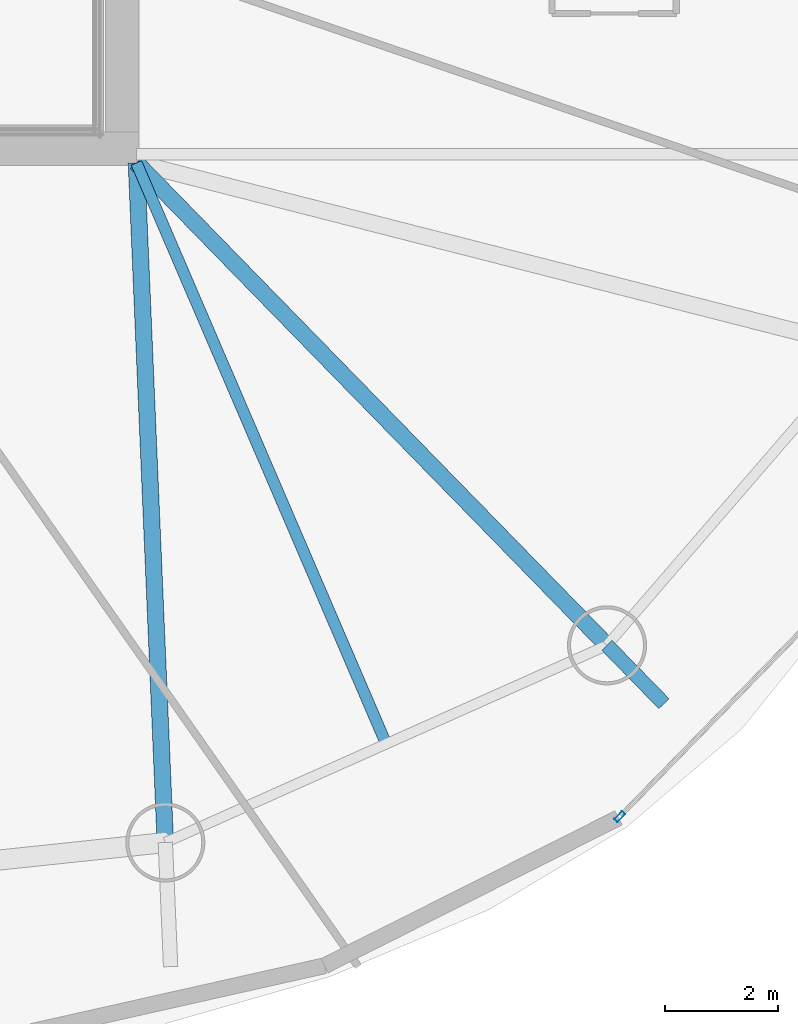
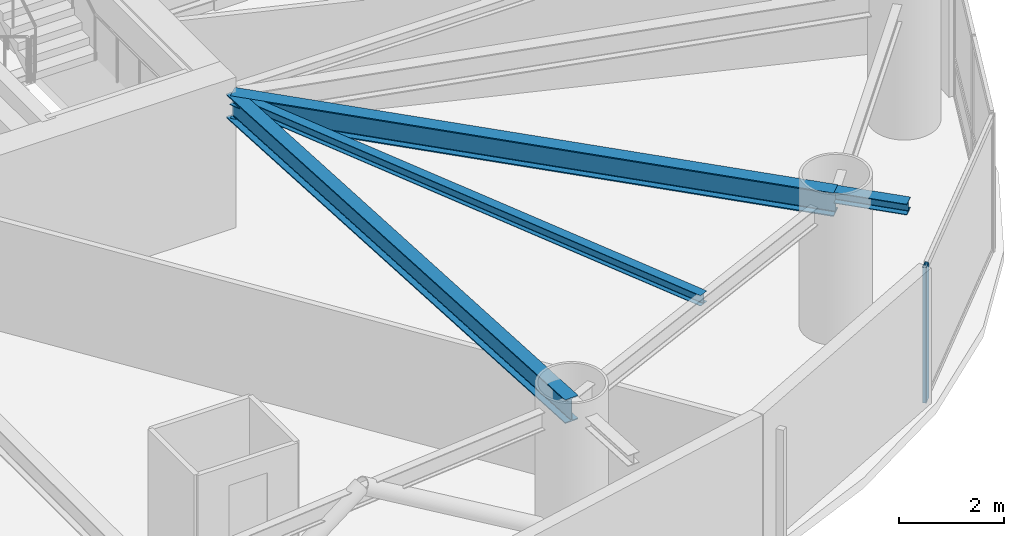
# One storey, part 6 of 21: 4 beams, 1 member, 1 element without a shape of its own.
"""IFC4 building model written with IfcOpenShell, lengths in metres."""

from ifc_helpers import new_model, si_unit, direction, frame, origin, origin_2d, place, context, subcontext, project, spatial, hollow_rectangle, i_section, extrude, material, layer, layer_set, material_profile, profile_set, type_object, element, aggregate, save


model = new_model("IFC4")

# Units and contexts
model_context = context("Model", 3, precision=1e-05, world=origin(), true_north=direction((0.0, 1.0)))
body_context = subcontext(model_context, "Body", "Model", "MODEL_VIEW")
ifc_project = project(units=[si_unit("LENGTHUNIT", "METRE"), si_unit("AREAUNIT", "SQUARE_METRE"), si_unit("VOLUMEUNIT", "CUBIC_METRE"), si_unit("PLANEANGLEUNIT", "RADIAN"), si_unit("MASSUNIT", "GRAM", prefix="KILO")], contexts=[model_context])

# Site, building, storey
site_placement = place(None, origin())
site = spatial("IfcSite", under=ifc_project, at=site_placement, CompositionType="ELEMENT")
building_placement = place(site_placement, origin())
building = spatial("IfcBuilding", under=site, at=building_placement, Name="Bramvorn Convention Spire", CompositionType="ELEMENT")
storey_placement = place(building_placement, frame((0.0, 0.0, 162.300048828125)))
storey = spatial("IfcBuildingStorey", under=building, at=storey_placement, Name="L41", CompositionType="ELEMENT", Elevation=162.300048828125)

# Beams
ifc_material_1 = material(Name="Steel CSA G40.21 Grade 350 (350W)", Category="steel")
ifc_material_profile_1 = material_profile(ifc_material_1, i_section(OverallWidth=0.201904296875, OverallDepth=0.2470703125, WebThickness=0.00732421875, FlangeThickness=0.010986328125, FilletRadius=0.011962890625, at=origin_2d()))
ifc_profile_set_1 = profile_set([ifc_material_profile_1], Name="Steel CSA G40.21 Grade 350 (350W) - W250X49")
beam_type_1 = type_object("IfcBeamType", Name="BM-W250X49", PredefinedType="JOIST", material=ifc_profile_set_1)
beam_1_placement = place(storey_placement, frame((49.25, 18.550048828125, 3.0263671875), z_axis=(0.394937739893, -0.918707886985, 0.0), x_axis=(0.918707886985, 0.394937739893, 0.0)))
element("IfcBeam", 1, at=beam_1_placement, inside=storey, type_object=beam_type_1, Name="L41 composite floor joist 15", PredefinedType="JOIST", context=body_context, shape_type="SweptSolid", body=[
    extrude(i_section(OverallWidth=0.201904296875, OverallDepth=0.2470703125, WebThickness=0.00732421875, FlangeThickness=0.010986328125, FilletRadius=0.011962890625, at=origin_2d()), origin(), (0.0, 0.0, 1.0), 11.19384765625),
])
ifc_material_profile_2 = material_profile(ifc_material_1, i_section(OverallWidth=0.25390625, OverallDepth=0.2529296875, WebThickness=0.008544921875, FlangeThickness=0.01416015625, FilletRadius=0.011962890625, at=origin_2d()))
ifc_profile_set_2 = profile_set([ifc_material_profile_2], Name="Steel CSA G40.21 Grade 350 (350W) - W250X73")
beam_type_2 = type_object("IfcBeamType", Name="BM-W250X73", PredefinedType="BEAM", material=ifc_profile_set_2)
beam_2_placement = place(storey_placement, frame((57.579833984375, 10.0107421875, 3.0234375), z_axis=(0.698247680399, -0.715856254298, 0.0), x_axis=(0.715856254298, 0.698247680399, 0.0)))
element("IfcBeam", 2, at=beam_2_placement, inside=storey, type_object=beam_type_2, Name="L41 slab-edge cantilever tip beam MC16", PredefinedType="BEAM", context=body_context, shape_type="SweptSolid", body=[
    extrude(i_section(OverallWidth=0.25390625, OverallDepth=0.2529296875, WebThickness=0.008544921875, FlangeThickness=0.01416015625, FilletRadius=0.011962890625, at=origin_2d()), origin(), (0.0, 0.0, 1.0), 1.44189453125),
])
ifc_material_profile_3 = material_profile(ifc_material_1, i_section(OverallWidth=0.2919921875, OverallDepth=0.551025390625, WebThickness=0.01513671875, FlangeThickness=0.0244140625, FilletRadius=0.01904296875, at=origin_2d()))
ifc_profile_set_3 = profile_set([ifc_material_profile_3], Name="Steel CSA G40.21 Grade 350 (350W) - W530X182")
beam_type_3 = type_object("IfcBeamType", Name="BM-W530X182", PredefinedType="BEAM", material=ifc_profile_set_3)
beam_3_placement = place(storey_placement, frame((49.25, 18.550048828125, 2.87451171875), z_axis=(0.042502657955, -0.999096353745, 0.0), x_axis=(0.999096353745, 0.042502657955, 0.0)))
element("IfcBeam", 3, at=beam_3_placement, inside=storey, type_object=beam_type_3, Name="L41 radial floor girder MC15", PredefinedType="BEAM", context=body_context, shape_type="SweptSolid", body=[
    extrude(i_section(OverallWidth=0.2919921875, OverallDepth=0.551025390625, WebThickness=0.01513671875, FlangeThickness=0.0244140625, FilletRadius=0.01904296875, at=origin_2d()), origin(), (0.0, 0.0, 1.0), 12.039794921875),
])
beam_4_placement = place(storey_placement, frame((49.25, 18.550048828125, 2.87451171875), z_axis=(0.698272445638, -0.715832097397, 0.0), x_axis=(0.715832097397, 0.698272445638, 0.0)))
element("IfcBeam", 4, at=beam_4_placement, inside=storey, type_object=beam_type_3, Name="L41 radial floor girder MC16", PredefinedType="BEAM", context=body_context, shape_type="SweptSolid", body=[
    extrude(i_section(OverallWidth=0.2919921875, OverallDepth=0.551025390625, WebThickness=0.01513671875, FlangeThickness=0.0244140625, FilletRadius=0.01904296875, at=origin_2d()), origin(), (0.0, 0.0, 1.0), 11.92919921875),
])

# Curtain wall, member
ifc_material_2 = material(Name="Anodised Bronze Unitised Curtain Wall", Category="aluminium")
ifc_layer = layer(ifc_material_2, 0.179931640625)
ifc_layer_set = layer_set([ifc_layer], Name="Anodised Bronze Unitised Curtain Wall - CW-HTL-FRIT")
curtain_wall_type = type_object("IfcCurtainWallType", Name="CW-HTL-FRIT", PredefinedType="USERDEFINED", material=ifc_layer_set)
curtain_wall_placement = place(storey_placement, origin())
curtain_wall = element("IfcCurtainWall", 5, at=curtain_wall_placement, inside=storey, type_object=curtain_wall_type, Name="L41 fritted glass curtain wall 24", ObjectType="UNITISED CURTAIN WALL", PredefinedType="USERDEFINED")
ifc_material_3 = material(Name="Anodised Bronze Aluminium 6063-T6", Category="aluminium")
ifc_material_profile_4 = material_profile(ifc_material_3, hollow_rectangle(XDim=0.080078125, YDim=0.199951171875, WallThickness=0.00390625, InnerFilletRadius=0.0009765625, OuterFilletRadius=0.00390625, at=origin_2d()))
ifc_profile_set_4 = profile_set([ifc_material_profile_4], Name="Anodised Bronze Aluminium 6063-T6 - CWM80X200")
member_type = type_object("IfcMemberType", Name="CW-MUL-180", PredefinedType="MULLION", material=ifc_profile_set_4)
member_placement = place(storey_placement, frame((57.804443359375, 6.978759765625, 0.0), z_axis=(0.0, 0.0, 1.0), x_axis=(0.715348995073, -0.698767354166, 0.0)))
member = element("IfcMember", 6, at=member_placement, type_object=member_type, Name="CW2 mullion 2", PredefinedType="MULLION", context=body_context, shape_type="SweptSolid", body=[
    extrude(hollow_rectangle(XDim=0.080078125, YDim=0.199951171875, WallThickness=0.00390625, InnerFilletRadius=0.0009765625, OuterFilletRadius=0.00390625, at=origin_2d()), origin(), (0.0, 0.0, 1.0), 3.14990234375),
])
aggregate(curtain_wall, [member])

save(model, "model.ifc")
